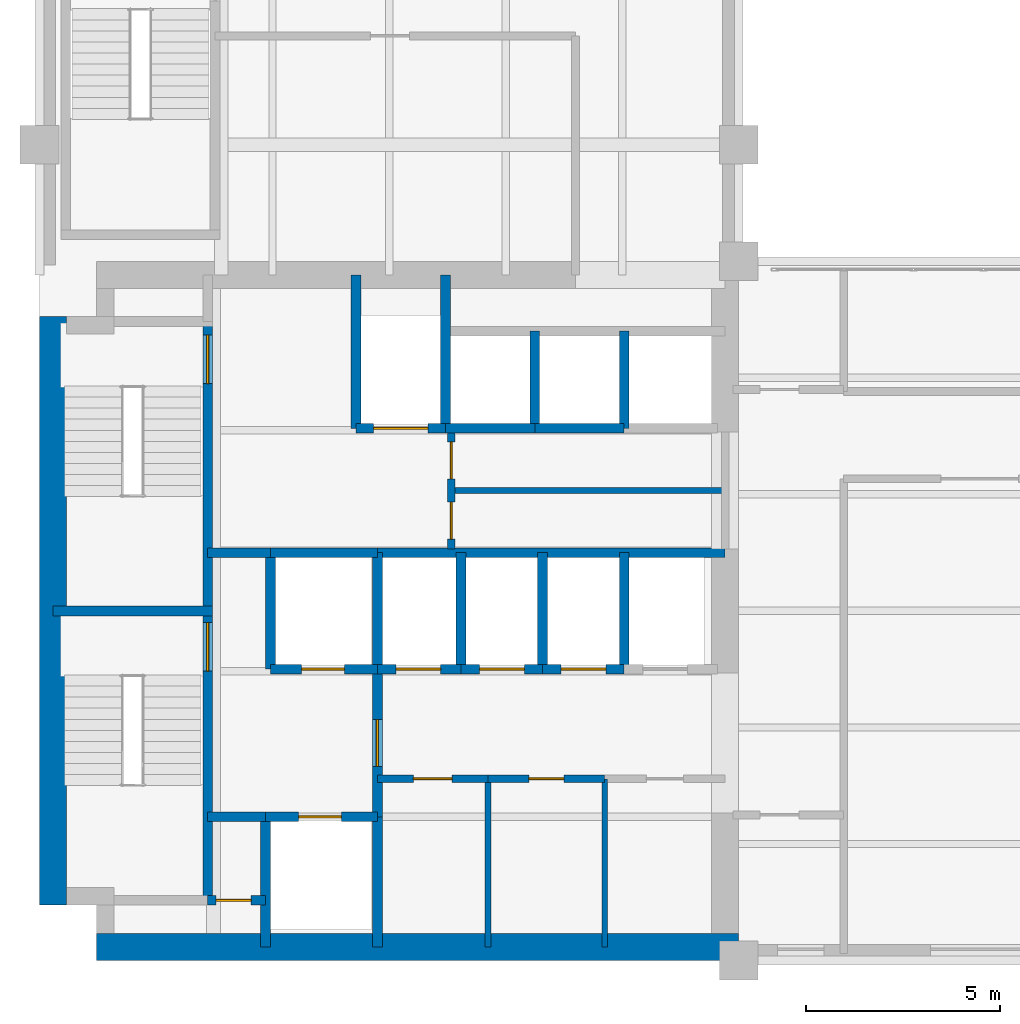
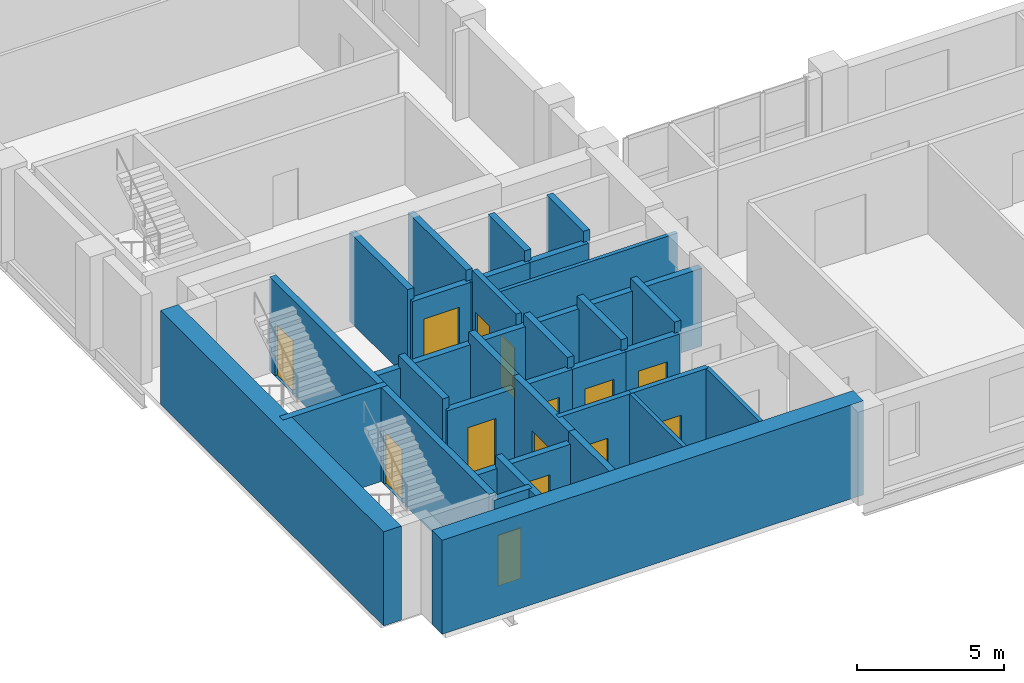
# One storey, part 4 of 8: 36 walls, 14 doors, 14 openings.
"""IFC4 building model written with IfcOpenShell, lengths in metres."""

from ifc_helpers import new_model, si_unit, direction, frame, frame_2d, origin, place, context, subcontext, project, spatial, rectangle, extrude, material, layer, layer_set, type_object, element, fill, save


model = new_model("IFC4")

# Units and contexts
model_context = context("Model", 3, precision=1e-05, world=origin(), true_north=direction((0.0, 1.0)))
body_context = subcontext(model_context, "Body", "Model", "MODEL_VIEW")
ifc_project = project(units=[si_unit("LENGTHUNIT", "METRE"), si_unit("AREAUNIT", "SQUARE_METRE"), si_unit("VOLUMEUNIT", "CUBIC_METRE"), si_unit("PLANEANGLEUNIT", "RADIAN"), si_unit("MASSUNIT", "GRAM", prefix="KILO")], contexts=[model_context])

# Site, building, storey
site_placement = place(None, origin())
site = spatial("IfcSite", under=ifc_project, at=site_placement, CompositionType="ELEMENT")
building_placement = place(site_placement, origin())
building = spatial("IfcBuilding", under=site, at=building_placement, Name="Mawjdan Bourse Tower", CompositionType="ELEMENT")
storey_placement = place(building_placement, frame((0.0, 0.0, 132.300048828125)))
storey = spatial("IfcBuildingStorey", under=building, at=storey_placement, Name="L31", CompositionType="ELEMENT", Elevation=132.300048828125)

# Wall, opening, door
ifc_material_1 = material(Name="Gypsum Fireboard Assembly")
ifc_layer_1 = layer(ifc_material_1, 0.199951171875)
ifc_layer_set_1 = layer_set([ifc_layer_1], Name="Gypsum Fireboard Assembly")
wall_type_1 = type_object("IfcWallType", Name="WL-CMP-200", PredefinedType="PARTITIONING", material=ifc_layer_set_1)
wall_1_placement = place(storey_placement, frame((14.699951171875, 7.679931640625, 0.0), z_axis=(0.0, 0.0, 1.0), x_axis=(1.0, 0.0, 0.0)))
wall_1 = element("IfcWall", 1, at=wall_1_placement, inside=storey, type_object=wall_type_1, Name="L31 Archive & Records Office North Wall", PredefinedType="PARTITIONING", context=body_context, shape_type="SweptSolid", body=[
    extrude(rectangle(XDim=2.85009765625, YDim=0.199951171875, at=frame_2d((1.425048828125, 0.0))), origin(), (0.0, 0.0, 1.0), 3.68994140625),
])
opening_1_placement = place(wall_1_placement, frame((0.925048828125, 0.0, 0.0)))
opening_1 = element("IfcOpeningElement", 2, at=opening_1_placement, cuts=wall_1, Name="Opening D-L31-10", PredefinedType="OPENING", context=body_context, shape_type="SweptSolid", body=[
    extrude(rectangle(XDim=1.0, YDim=2.14990234375, at=frame_2d((0.5, 1.074951171875))), frame((0.0, 0.10986328125, 0.0), z_axis=(0.0, -1.0, 0.0), x_axis=(1.0, 0.0, 0.0)), (0.0, 0.0, 1.0), 0.219970703125),
])
ifc_material_2 = material(Name="Hardwood Acoustic Leaf", Category="wood")
door_type_1 = type_object("IfcDoorType", Name="DR-OFC-1000", OperationType="NOTDEFINED", PredefinedType="DOOR", material=ifc_material_2)
door_1_placement = place(opening_1_placement, origin())
door_1 = element("IfcDoor", 3, at=door_1_placement, inside=storey, type_object=door_type_1, Name="L31 Archive & Records Office Door D-L31-10", OperationType="SINGLE_SWING_RIGHT", OverallHeight=2.14990234375, OverallWidth=1.0, PredefinedType="DOOR", context=body_context, shape_type="SweptSolid", body=[
    extrude(rectangle(XDim=1.0, YDim=2.14990234375, at=frame_2d((0.5, 1.074951171875))), frame((0.0, 0.02490234375, 0.0), z_axis=(0.0, -1.0, 0.0), x_axis=(1.0, 0.0, 0.0)), (0.0, 0.0, 1.0), 0.050048828125),
])
fill(opening_1, door_1)

wall_2_placement = place(storey_placement, frame((17.550048828125, 7.679931640625, 0.0), z_axis=(0.0, 0.0, 1.0), x_axis=(1.0, 0.0, 0.0)))
wall_2 = element("IfcWall", 4, at=wall_2_placement, inside=storey, type_object=wall_type_1, Name="L31 IT & Fiber Patch Room North Wall", PredefinedType="PARTITIONING", context=body_context, shape_type="SweptSolid", body=[
    extrude(rectangle(XDim=3.0, YDim=0.199951171875, at=frame_2d((1.5, 0.0))), origin(), (0.0, 0.0, 1.0), 3.68994140625),
])
opening_2_placement = place(wall_2_placement, frame((1.050048828125, 0.0, 0.0)))
opening_2 = element("IfcOpeningElement", 5, at=opening_2_placement, cuts=wall_2, Name="Opening D-L31-11", PredefinedType="OPENING", context=body_context, shape_type="SweptSolid", body=[
    extrude(rectangle(XDim=0.89990234375, YDim=2.10009765625, at=frame_2d((0.449951171875, 1.050048828125))), frame((0.0, 0.10986328125, 0.0), z_axis=(0.0, -1.0, 0.0), x_axis=(1.0, 0.0, 0.0)), (0.0, 0.0, 1.0), 0.219970703125),
])
ifc_material_3 = material(Name="Fire-Rated Steel Access Leaf", Category="steel")
door_type_2 = type_object("IfcDoorType", Name="FD-RSR-0900", OperationType="NOTDEFINED", PredefinedType="TRAPDOOR", material=ifc_material_3)
door_2_placement = place(opening_2_placement, origin())
door_2 = element("IfcDoor", 6, at=door_2_placement, inside=storey, type_object=door_type_2, Name="L31 IT & Fiber Patch Room Door D-L31-11", OperationType="SINGLE_SWING_LEFT", OverallHeight=2.10009765625, OverallWidth=0.89990234375, PredefinedType="TRAPDOOR", context=body_context, shape_type="SweptSolid", body=[
    extrude(rectangle(XDim=0.89990234375, YDim=2.10009765625, at=frame_2d((0.449951171875, 1.050048828125))), frame((0.0, 0.02490234375, 0.0), z_axis=(0.0, -1.0, 0.0), x_axis=(1.0, 0.0, 0.0)), (0.0, 0.0, 1.0), 0.050048828125),
])
fill(opening_2, door_2)

# Wall, openings, doors
wall_3_placement = place(storey_placement, frame((16.60009765625, 13.60009765625, 0.0), z_axis=(0.0, 0.0, 1.0), x_axis=(0.0, 1.0, 0.0)))
wall_3 = element("IfcWall", 7, at=wall_3_placement, inside=storey, type_object=wall_type_1, Name="L31 Core Restroom West Wall", PredefinedType="PARTITIONING", context=body_context, shape_type="SweptSolid", body=[
    extrude(rectangle(XDim=3.0, YDim=0.199951171875, at=frame_2d((1.5, 0.0))), origin(), (0.0, 0.0, 1.0), 3.68994140625),
])
opening_3_placement = place(wall_3_placement, frame((0.25, 0.0, 0.0)))
opening_3 = element("IfcOpeningElement", 8, at=opening_3_placement, cuts=wall_3, Name="Opening D-L31-17", PredefinedType="OPENING", context=body_context, shape_type="SweptSolid", body=[
    extrude(rectangle(XDim=0.949951171875, YDim=2.10009765625, at=frame_2d((0.47509765625, 1.050048828125))), frame((0.0, 0.10986328125, 0.0), z_axis=(0.0, -1.0, 0.0), x_axis=(1.0, 0.0, 0.0)), (0.0, 0.0, 1.0), 0.219970703125),
])
opening_4_placement = place(wall_3_placement, frame((1.800048828125, 0.0, 0.0)))
opening_4 = element("IfcOpeningElement", 9, at=opening_4_placement, cuts=wall_3, Name="Opening D-L31-18", PredefinedType="OPENING", context=body_context, shape_type="SweptSolid", body=[
    extrude(rectangle(XDim=0.949951171875, YDim=2.10009765625, at=frame_2d((0.47509765625, 1.050048828125))), frame((0.0, 0.10986328125, 0.0), z_axis=(0.0, -1.0, 0.0), x_axis=(1.0, 0.0, 0.0)), (0.0, 0.0, 1.0), 0.219970703125),
])
ifc_material_4 = material(Name="Moisture-Resistant Laminate Timber", Category="wood")
door_type_3 = type_object("IfcDoorType", Name="DR-WET-0950", OperationType="NOTDEFINED", PredefinedType="DOOR", material=ifc_material_4)
door_3_placement = place(opening_3_placement, origin())
door_3 = element("IfcDoor", 10, at=door_3_placement, inside=storey, type_object=door_type_3, Name="L31 Accessible WC Entry Door D-L31-17", OperationType="SINGLE_SWING_LEFT", OverallHeight=2.10009765625, OverallWidth=0.949951171875, PredefinedType="DOOR", context=body_context, shape_type="SweptSolid", body=[
    extrude(rectangle(XDim=0.949951171875, YDim=2.10009765625, at=frame_2d((0.47509765625, 1.050048828125))), frame((0.0, 0.02490234375, 0.0), z_axis=(0.0, -1.0, 0.0), x_axis=(1.0, 0.0, 0.0)), (0.0, 0.0, 1.0), 0.050048828125),
])
fill(opening_3, door_3)
door_4_placement = place(opening_4_placement, origin())
door_4 = element("IfcDoor", 11, at=door_4_placement, inside=storey, type_object=door_type_3, Name="L31 Male Restroom Entry Door D-L31-18", OperationType="SINGLE_SWING_RIGHT", OverallHeight=2.10009765625, OverallWidth=0.949951171875, PredefinedType="DOOR", context=body_context, shape_type="SweptSolid", body=[
    extrude(rectangle(XDim=0.949951171875, YDim=2.10009765625, at=frame_2d((0.47509765625, 1.050048828125))), frame((0.0, 0.02490234375, 0.0), z_axis=(0.0, -1.0, 0.0), x_axis=(1.0, 0.0, 0.0)), (0.0, 0.0, 1.0), 0.050048828125),
])
fill(opening_4, door_4)

# Walls
ifc_material_5 = material(Name="Concrete C70/85", Category="concrete")
ifc_layer_2 = layer(ifc_material_5, 0.699951171875)
ifc_layer_set_2 = layer_set([ifc_layer_2], Name="Concrete C70/85")
wall_type_2 = type_object("IfcWallType", Name="WL-CORE-700", PredefinedType="SHEAR", material=ifc_layer_set_2)
wall_4_placement = place(storey_placement, frame((7.47509765625, 3.35009765625, 0.0), z_axis=(0.0, 0.0, 1.0), x_axis=(1.0, 0.0, 0.0)))
element("IfcWall", 12, at=wall_4_placement, inside=storey, type_object=wall_type_2, Name="L31 Rear Core Shear Wall S", PredefinedType="SHEAR", context=body_context, shape_type="SweptSolid", body=[
    extrude(rectangle(XDim=16.52490234375, YDim=0.699951171875, at=frame_2d((8.262451171875, 0.0))), origin(), (0.0, 0.0, 1.0), 3.89990234375),
])
wall_5_placement = place(storey_placement, frame((6.35009765625, 4.425048828125, 0.0), z_axis=(0.0, 0.0, 1.0), x_axis=(0.0, 1.0, 0.0)))
element("IfcWall", 13, at=wall_5_placement, inside=storey, type_object=wall_type_2, Name="L31 Rear Core Shear Wall W", PredefinedType="SHEAR", context=body_context, shape_type="SweptSolid", body=[
    extrude(rectangle(XDim=15.14990234375, YDim=0.699951171875, at=frame_2d((7.574951171875, 0.0))), origin(), (0.0, 0.0, 1.0), 3.89990234375),
])
ifc_material_6 = material(Name="Gypsum Acoustic Partition")
ifc_layer_3 = layer(ifc_material_6, 0.14990234375)
ifc_layer_set_3 = layer_set([ifc_layer_3], Name="Gypsum Acoustic Partition")
wall_type_3 = type_object("IfcWallType", Name="WL-PRT-150", PredefinedType="PARTITIONING", material=ifc_layer_set_3)
for number, where, z_axis, x_axis, name in (
    (14, (17.550048828125, 3.35009765625, 0.0), (0.0, 0.0, 1.0), (0.0, 1.0, 0.0), "L31 IT & Fiber Patch Room Core Split Wall"),
    (15, (20.550048828125, 3.35009765625, 0.0), (0.0, 0.0, 1.0), (0.0, 1.0, 0.0), "L31 Staff Tea Pantry Core Split Wall"),
):
    element("IfcWall", number, at=place(storey_placement, frame(where, z_axis=z_axis, x_axis=x_axis)), inside=storey, type_object=wall_type_3, Name=name, PredefinedType="PARTITIONING", context=body_context, shape_type="SweptSolid", body=[
        extrude(rectangle(XDim=4.329833984375, YDim=0.14990234375, at=frame_2d((2.1650390625, 0.0))), origin(), (0.0, 0.0, 1.0), 3.68994140625),
    ])
wall_6_placement = place(storey_placement, frame((16.60009765625, 15.10009765625, 0.0), z_axis=(0.0, 0.0, 1.0), x_axis=(1.0, 0.0, 0.0)))
element("IfcWall", 16, at=wall_6_placement, inside=storey, type_object=wall_type_3, Name="L31 Core Restroom Horizontal Split", PredefinedType="PARTITIONING", context=body_context, shape_type="SweptSolid", body=[
    extrude(rectangle(XDim=7.0498046875, YDim=0.14990234375, at=frame_2d((3.52490234375, 0.0))), origin(), (0.0, 0.0, 1.0), 3.68994140625),
])

# Wall, opening, door
ifc_material_7 = material(Name="Concrete C50/60", Category="concrete")
ifc_layer_4 = layer(ifc_material_7, 0.25)
ifc_layer_set_4 = layer_set([ifc_layer_4], Name="Concrete C50/60")
wall_type_4 = type_object("IfcWallType", Name="WL-SHFT-250", PredefinedType="PARTITIONING", material=ifc_layer_set_4)
wall_7_placement = place(storey_placement, frame((10.330078125, 4.550048828125, 0.0), z_axis=(0.0, 0.0, 1.0), x_axis=(1.0, 0.0, 0.0)))
wall_7 = element("IfcWall", 17, at=wall_7_placement, inside=storey, type_object=wall_type_4, Name="L31 SW Riser North Wall", PredefinedType="PARTITIONING", context=body_context, shape_type="SweptSolid", body=[
    extrude(rectangle(XDim=1.489990234375, YDim=0.25, at=frame_2d((0.7451171875, 0.0))), origin(), (0.0, 0.0, 1.0), 3.68994140625),
])
opening_5_placement = place(wall_7_placement, frame((0.219970703125, 0.0, 0.0)))
opening_5 = element("IfcOpeningElement", 18, at=opening_5_placement, cuts=wall_7, Name="Opening RD-L31-03", PredefinedType="OPENING", context=body_context, shape_type="SweptSolid", body=[
    extrude(rectangle(XDim=0.89990234375, YDim=2.10009765625, at=frame_2d((0.449951171875, 1.050048828125))), frame((0.0, 0.135009765625, 0.0), z_axis=(0.0, -1.0, 0.0), x_axis=(1.0, 0.0, 0.0)), (0.0, 0.0, 1.0), 0.27001953125),
])
door_5_placement = place(opening_5_placement, origin())
door_5 = element("IfcDoor", 19, at=door_5_placement, inside=storey, type_object=door_type_2, Name="L31 Electrical Riser Access Door RD-L31-03", OperationType="SINGLE_SWING_RIGHT", OverallHeight=2.10009765625, OverallWidth=0.89990234375, PredefinedType="TRAPDOOR", context=body_context, shape_type="SweptSolid", body=[
    extrude(rectangle(XDim=0.89990234375, YDim=2.10009765625, at=frame_2d((0.449951171875, 1.050048828125))), frame((0.0, 0.02490234375, 0.0), z_axis=(0.0, -1.0, 0.0), x_axis=(1.0, 0.0, 0.0)), (0.0, 0.0, 1.0), 0.050048828125),
])
fill(opening_5, door_5)

# Wall
wall_8_placement = place(storey_placement, frame((11.820068359375, 3.35009765625, 0.0), z_axis=(0.0, 0.0, 1.0), x_axis=(0.0, 1.0, 0.0)))
element("IfcWall", 20, at=wall_8_placement, inside=storey, type_object=wall_type_4, Name="L31 SW Riser & FFL01 West Wall", PredefinedType="PARTITIONING", context=body_context, shape_type="SweptSolid", body=[
    extrude(rectangle(XDim=3.349853515625, YDim=0.25, at=frame_2d((1.6748046875, 0.0))), origin(), (0.0, 0.0, 1.0), 3.68994140625),
])

# Wall, opening, door
wall_9_placement = place(storey_placement, frame((11.820068359375, 6.699951171875, 0.0), z_axis=(0.0, 0.0, 1.0), x_axis=(1.0, 0.0, 0.0)))
wall_9 = element("IfcWall", 21, at=wall_9_placement, inside=storey, type_object=wall_type_4, Name="L31 FFL-01 Front Shaft Wall", PredefinedType="PARTITIONING", context=body_context, shape_type="SweptSolid", body=[
    extrude(rectangle(XDim=2.8798828125, YDim=0.25, at=frame_2d((1.43994140625, 0.0))), origin(), (0.0, 0.0, 1.0), 3.23291015625),
])
opening_6_placement = place(wall_9_placement, frame((0.85009765625, 0.0, 0.0)))
opening_6 = element("IfcOpeningElement", 22, at=opening_6_placement, cuts=wall_9, Name="Opening LD-L31-05", PredefinedType="OPENING", context=body_context, shape_type="SweptSolid", body=[
    extrude(rectangle(XDim=1.10009765625, YDim=2.25, at=frame_2d((0.550048828125, 1.125))), frame((0.0, 0.135009765625, 0.0), z_axis=(0.0, -1.0, 0.0), x_axis=(1.0, 0.0, 0.0)), (0.0, 0.0, 1.0), 0.27001953125),
])
ifc_material_8 = material(Name="Brushed Stainless Steel", Category="steel")
door_type_4 = type_object("IfcDoorType", Name="LD-FFL-1100", OperationType="DOUBLE_DOOR_SLIDING", PredefinedType="DOOR", material=ifc_material_8)
door_6_placement = place(opening_6_placement, origin())
door_6 = element("IfcDoor", 23, at=door_6_placement, inside=storey, type_object=door_type_4, Name="L31 Firefighting Lift FFL-01 Landing Door LD-L31-05", OperationType="DOUBLE_DOOR_SLIDING", OverallHeight=2.25, OverallWidth=1.10009765625, PredefinedType="DOOR", context=body_context, shape_type="SweptSolid", body=[
    extrude(rectangle(XDim=1.10009765625, YDim=2.25, at=frame_2d((0.550048828125, 1.125))), frame((0.0, 0.02490234375, 0.0), z_axis=(0.0, -1.0, 0.0), x_axis=(1.0, 0.0, 0.0)), (0.0, 0.0, 1.0), 0.050048828125),
])
fill(opening_6, door_6)

# Wall
wall_10_placement = place(storey_placement, frame((14.699951171875, 3.35009765625, 0.0), z_axis=(0.0, 0.0, 1.0), x_axis=(0.0, 1.0, 0.0)))
element("IfcWall", 24, at=wall_10_placement, inside=storey, type_object=wall_type_4, Name="L31 FFL-01 East Shaft Wall", PredefinedType="PARTITIONING", context=body_context, shape_type="SweptSolid", body=[
    extrude(rectangle(XDim=3.349853515625, YDim=0.25, at=frame_2d((1.6748046875, 0.0))), origin(), (0.0, 0.0, 1.0), 3.68994140625),
])

# Wall, opening, door
wall_11_placement = place(storey_placement, frame((11.949951171875, 10.5, 0.0), z_axis=(0.0, 0.0, 1.0), x_axis=(1.0, 0.0, 0.0)))
wall_11 = element("IfcWall", 25, at=wall_11_placement, inside=storey, type_object=wall_type_4, Name="L31 FFL-02 Front Shaft Wall", PredefinedType="PARTITIONING", context=body_context, shape_type="SweptSolid", body=[
    extrude(rectangle(XDim=2.75, YDim=0.25, at=frame_2d((1.375, 0.0))), origin(), (0.0, 0.0, 1.0), 3.23291015625),
])
opening_7_placement = place(wall_11_placement, frame((0.800048828125, 0.0, 0.0)))
opening_7 = element("IfcOpeningElement", 26, at=opening_7_placement, cuts=wall_11, Name="Opening LD-L31-06", PredefinedType="OPENING", context=body_context, shape_type="SweptSolid", body=[
    extrude(rectangle(XDim=1.10009765625, YDim=2.25, at=frame_2d((0.550048828125, 1.125))), frame((0.0, 0.135009765625, 0.0), z_axis=(0.0, -1.0, 0.0), x_axis=(1.0, 0.0, 0.0)), (0.0, 0.0, 1.0), 0.27001953125),
])
door_7_placement = place(opening_7_placement, origin())
door_7 = element("IfcDoor", 27, at=door_7_placement, inside=storey, type_object=door_type_4, Name="L31 Firefighting Lift FFL-02 Landing Door LD-L31-06", OperationType="DOUBLE_DOOR_SLIDING", OverallHeight=2.25, OverallWidth=1.10009765625, PredefinedType="DOOR", context=body_context, shape_type="SweptSolid", body=[
    extrude(rectangle(XDim=1.10009765625, YDim=2.25, at=frame_2d((0.550048828125, 1.125))), frame((0.0, 0.02490234375, 0.0), z_axis=(0.0, -1.0, 0.0), x_axis=(1.0, 0.0, 0.0)), (0.0, 0.0, 1.0), 0.050048828125),
])
fill(opening_7, door_7)

# Walls
wall_12_placement = place(storey_placement, frame((11.949951171875, 10.5, 0.0), z_axis=(0.0, 0.0, 1.0), x_axis=(0.0, 1.0, 0.0)))
element("IfcWall", 28, at=wall_12_placement, inside=storey, type_object=wall_type_4, Name="L31 FFL-02 West Shaft Wall", PredefinedType="PARTITIONING", context=body_context, shape_type="SweptSolid", body=[
    extrude(rectangle(XDim=3.0, YDim=0.25, at=frame_2d((1.5, 0.0))), origin(), (0.0, 0.0, 1.0), 3.68994140625),
])
wall_13_placement = place(storey_placement, frame((11.949951171875, 13.5, 0.0), z_axis=(0.0, 0.0, 1.0), x_axis=(1.0, 0.0, 0.0)))
element("IfcWall", 29, at=wall_13_placement, inside=storey, type_object=wall_type_4, Name="L31 FFL-02 North Shaft Wall", PredefinedType="PARTITIONING", context=body_context, shape_type="SweptSolid", body=[
    extrude(rectangle(XDim=2.75, YDim=0.25, at=frame_2d((1.375, 0.0))), origin(), (0.0, 0.0, 1.0), 3.23291015625),
])
wall_14_placement = place(storey_placement, frame((14.699951171875, 10.5, 0.0), z_axis=(0.0, 0.0, 1.0), x_axis=(0.0, 1.0, 0.0)))
element("IfcWall", 30, at=wall_14_placement, inside=storey, type_object=wall_type_4, Name="L31 FFL-02 East Shaft Wall", PredefinedType="PARTITIONING", context=body_context, shape_type="SweptSolid", body=[
    extrude(rectangle(XDim=3.0, YDim=0.25, at=frame_2d((1.5, 0.0))), origin(), (0.0, 0.0, 1.0), 3.68994140625),
])

# Wall, opening, door
wall_15_placement = place(storey_placement, frame((14.699951171875, 6.699951171875, 0.0), z_axis=(0.0, 0.0, 1.0), x_axis=(0.0, 1.0, 0.0)))
wall_15 = element("IfcWall", 31, at=wall_15_placement, inside=storey, type_object=wall_type_4, Name="L31 Firefighting Lobby East Compartment Wall", PredefinedType="PARTITIONING", context=body_context, shape_type="SweptSolid", body=[
    extrude(rectangle(XDim=3.800048828125, YDim=0.25, at=frame_2d((1.89990234375, 0.0))), origin(), (0.0, 0.0, 1.0), 3.68994140625),
])
opening_8_placement = place(wall_15_placement, frame((1.300048828125, 0.0, 0.0)))
opening_8 = element("IfcOpeningElement", 32, at=opening_8_placement, cuts=wall_15, Name="Opening FD-L31-07", PredefinedType="OPENING", context=body_context, shape_type="SweptSolid", body=[
    extrude(rectangle(XDim=1.199951171875, YDim=2.199951171875, at=frame_2d((0.60009765625, 1.10009765625))), frame((0.0, 0.135009765625, 0.0), z_axis=(0.0, -1.0, 0.0), x_axis=(1.0, 0.0, 0.0)), (0.0, 0.0, 1.0), 0.27001953125),
])
ifc_material_9 = material(Name="Fire-Rated Steel Leaf", Category="steel")
door_type_5 = type_object("IfcDoorType", Name="FD-FFL-1200", OperationType="NOTDEFINED", PredefinedType="DOOR", material=ifc_material_9)
door_8_placement = place(opening_8_placement, origin())
door_8 = element("IfcDoor", 33, at=door_8_placement, inside=storey, type_object=door_type_5, Name="L31 Firefighting Lobby East Smoke Door FD-L31-07", OperationType="SINGLE_SWING_RIGHT", OverallHeight=2.199951171875, OverallWidth=1.199951171875, PredefinedType="DOOR", context=body_context, shape_type="SweptSolid", body=[
    extrude(rectangle(XDim=1.199951171875, YDim=2.199951171875, at=frame_2d((0.60009765625, 1.10009765625))), frame((0.0, 0.02490234375, 0.0), z_axis=(0.0, -1.0, 0.0), x_axis=(1.0, 0.0, 0.0)), (0.0, 0.0, 1.0), 0.050048828125),
])
fill(opening_8, door_8)

# Walls
wall_16_placement = place(storey_placement, frame((10.330078125, 13.5, 0.0), z_axis=(0.0, 0.0, 1.0), x_axis=(1.0, 0.0, 0.0)))
element("IfcWall", 34, at=wall_16_placement, inside=storey, type_object=wall_type_4, Name="L31 Firefighting Lobby North Compartment Wall", PredefinedType="PARTITIONING", context=body_context, shape_type="SweptSolid", body=[
    extrude(rectangle(XDim=1.619873046875, YDim=0.25, at=frame_2d((0.81005859375, 0.0))), origin(), (0.0, 0.0, 1.0), 3.23291015625),
])
wall_17_placement = place(storey_placement, frame((10.330078125, 6.699951171875, 0.0), z_axis=(0.0, 0.0, 1.0), x_axis=(1.0, 0.0, 0.0)))
element("IfcWall", 35, at=wall_17_placement, inside=storey, type_object=wall_type_4, Name="L31 Firefighting Lobby South Closure Wall", PredefinedType="PARTITIONING", context=body_context, shape_type="SweptSolid", body=[
    extrude(rectangle(XDim=1.489990234375, YDim=0.25, at=frame_2d((0.7451171875, 0.0))), origin(), (0.0, 0.0, 1.0), 3.23291015625),
])

# Wall, opening, door
wall_18_placement = place(storey_placement, frame((14.14990234375, 16.699951171875, 0.0), z_axis=(0.0, 0.0, 1.0), x_axis=(1.0, 0.0, 0.0)))
wall_18 = element("IfcWall", 36, at=wall_18_placement, inside=storey, type_object=wall_type_4, Name="L31 SVL-01 Front Shaft Wall", PredefinedType="PARTITIONING", context=body_context, shape_type="SweptSolid", body=[
    extrude(rectangle(XDim=2.300048828125, YDim=0.25, at=frame_2d((1.14990234375, 0.0))), origin(), (0.0, 0.0, 1.0), 3.23291015625),
])
opening_9_placement = place(wall_18_placement, frame((0.449951171875, 0.0, 0.0)))
opening_9 = element("IfcOpeningElement", 37, at=opening_9_placement, cuts=wall_18, Name="Opening LD-L31-09", PredefinedType="OPENING", context=body_context, shape_type="SweptSolid", body=[
    extrude(rectangle(XDim=1.39990234375, YDim=2.35009765625, at=frame_2d((0.699951171875, 1.175048828125))), frame((0.0, 0.135009765625, 0.0), z_axis=(0.0, -1.0, 0.0), x_axis=(1.0, 0.0, 0.0)), (0.0, 0.0, 1.0), 0.27001953125),
])
ifc_material_10 = material(Name="Heavy-Duty Stainless Steel", Category="steel")
door_type_6 = type_object("IfcDoorType", Name="LD-SRV-1400", OperationType="DOUBLE_DOOR_SLIDING", PredefinedType="DOOR", material=ifc_material_10)
door_9_placement = place(opening_9_placement, origin())
door_9 = element("IfcDoor", 38, at=door_9_placement, inside=storey, type_object=door_type_6, Name="L31 Service Lift SVL-01 Landing Door LD-L31-09", OperationType="DOUBLE_DOOR_SLIDING", OverallHeight=2.35009765625, OverallWidth=1.39990234375, PredefinedType="DOOR", context=body_context, shape_type="SweptSolid", body=[
    extrude(rectangle(XDim=1.39990234375, YDim=2.35009765625, at=frame_2d((0.699951171875, 1.175048828125))), frame((0.0, 0.02490234375, 0.0), z_axis=(0.0, -1.0, 0.0), x_axis=(1.0, 0.0, 0.0)), (0.0, 0.0, 1.0), 0.050048828125),
])
fill(opening_9, door_9)

# Walls
for number, where, z_axis, x_axis, name in (
    (39, (14.14990234375, 16.699951171875, 0.0), (0.0, 0.0, 1.0), (0.0, 1.0, 0.0), "L31 SVL-01 West Shaft Wall"),
    (40, (16.449951171875, 16.699951171875, 0.0), (0.0, 0.0, 1.0), (0.0, 1.0, 0.0), "L31 SVL-01 East Shaft Wall"),
):
    element("IfcWall", number, at=place(storey_placement, frame(where, z_axis=z_axis, x_axis=x_axis)), inside=storey, type_object=wall_type_4, Name=name, PredefinedType="PARTITIONING", context=body_context, shape_type="SweptSolid", body=[
        extrude(rectangle(XDim=3.949951171875, YDim=0.25, at=frame_2d((1.97509765625, 0.0))), origin(), (0.0, 0.0, 1.0), 3.68994140625),
    ])
wall_19_placement = place(storey_placement, frame((16.449951171875, 16.699951171875, 0.0), z_axis=(0.0, 0.0, 1.0), x_axis=(1.0, 0.0, 0.0)))
element("IfcWall", 41, at=wall_19_placement, inside=storey, type_object=wall_type_4, Name="L31 PH-01 Front Wall", PredefinedType="PARTITIONING", context=body_context, shape_type="SweptSolid", body=[
    extrude(rectangle(XDim=2.300048828125, YDim=0.25, at=frame_2d((1.14990234375, 0.0))), origin(), (0.0, 0.0, 1.0), 3.23291015625),
])
wall_20_placement = place(storey_placement, frame((18.75, 16.699951171875, 0.0), z_axis=(0.0, 0.0, 1.0), x_axis=(0.0, 1.0, 0.0)))
element("IfcWall", 42, at=wall_20_placement, inside=storey, type_object=wall_type_4, Name="L31 PH-01 Divider Wall", PredefinedType="PARTITIONING", context=body_context, shape_type="SweptSolid", body=[
    extrude(rectangle(XDim=2.5, YDim=0.25, at=frame_2d((1.25, 0.0))), origin(), (0.0, 0.0, 1.0), 3.68994140625),
])
wall_21_placement = place(storey_placement, frame((18.75, 16.699951171875, 0.0), z_axis=(0.0, 0.0, 1.0), x_axis=(1.0, 0.0, 0.0)))
element("IfcWall", 43, at=wall_21_placement, inside=storey, type_object=wall_type_4, Name="L31 PH-02 Front Wall", PredefinedType="PARTITIONING", context=body_context, shape_type="SweptSolid", body=[
    extrude(rectangle(XDim=2.300048828125, YDim=0.25, at=frame_2d((1.14990234375, 0.0))), origin(), (0.0, 0.0, 1.0), 3.23291015625),
])
wall_22_placement = place(storey_placement, frame((21.050048828125, 16.699951171875, 0.0), z_axis=(0.0, 0.0, 1.0), x_axis=(0.0, 1.0, 0.0)))
element("IfcWall", 44, at=wall_22_placement, inside=storey, type_object=wall_type_4, Name="L31 PH-02 Divider Wall", PredefinedType="PARTITIONING", context=body_context, shape_type="SweptSolid", body=[
    extrude(rectangle(XDim=2.5, YDim=0.25, at=frame_2d((1.25, 0.0))), origin(), (0.0, 0.0, 1.0), 3.68994140625),
])

# Wall, opening, door
wall_23_placement = place(storey_placement, frame((14.699951171875, 10.5, 0.0), z_axis=(0.0, 0.0, 1.0), x_axis=(1.0, 0.0, 0.0)))
wall_23 = element("IfcWall", 45, at=wall_23_placement, inside=storey, type_object=wall_type_4, Name="L31 PM-01 Front Wall", PredefinedType="PARTITIONING", context=body_context, shape_type="SweptSolid", body=[
    extrude(rectangle(XDim=2.150146484375, YDim=0.25, at=frame_2d((1.0751953125, 0.0))), origin(), (0.0, 0.0, 1.0), 3.23291015625),
])
opening_10_placement = place(wall_23_placement, frame((0.47998046875, 0.0, 0.0)))
opening_10 = element("IfcOpeningElement", 46, at=opening_10_placement, cuts=wall_23, Name="Opening LD-L31-13", PredefinedType="OPENING", context=body_context, shape_type="SweptSolid", body=[
    extrude(rectangle(XDim=1.14990234375, YDim=2.25, at=frame_2d((0.574951171875, 1.125))), frame((0.0, 0.135009765625, 0.0), z_axis=(0.0, -1.0, 0.0), x_axis=(1.0, 0.0, 0.0)), (0.0, 0.0, 1.0), 0.27001953125),
])
door_type_7 = type_object("IfcDoorType", Name="LD-PAS-1150", OperationType="DOUBLE_DOOR_SLIDING", PredefinedType="DOOR", material=ifc_material_8)
door_10_placement = place(opening_10_placement, origin())
door_10 = element("IfcDoor", 47, at=door_10_placement, inside=storey, type_object=door_type_7, Name="L31 Lift PM-01 Landing Door LD-L31-13", OperationType="DOUBLE_DOOR_SLIDING", OverallHeight=2.25, OverallWidth=1.14990234375, PredefinedType="DOOR", context=body_context, shape_type="SweptSolid", body=[
    extrude(rectangle(XDim=1.14990234375, YDim=2.25, at=frame_2d((0.574951171875, 1.125))), frame((0.0, 0.02490234375, 0.0), z_axis=(0.0, -1.0, 0.0), x_axis=(1.0, 0.0, 0.0)), (0.0, 0.0, 1.0), 0.050048828125),
])
fill(opening_10, door_10)

# Wall
wall_24_placement = place(storey_placement, frame((16.85009765625, 10.5, 0.0), z_axis=(0.0, 0.0, 1.0), x_axis=(0.0, 1.0, 0.0)))
element("IfcWall", 48, at=wall_24_placement, inside=storey, type_object=wall_type_4, Name="L31 PM-01 Divider Wall", PredefinedType="PARTITIONING", context=body_context, shape_type="SweptSolid", body=[
    extrude(rectangle(XDim=3.0, YDim=0.25, at=frame_2d((1.5, 0.0))), origin(), (0.0, 0.0, 1.0), 3.68994140625),
])

# Wall, opening, door
wall_25_placement = place(storey_placement, frame((16.85009765625, 10.5, 0.0), z_axis=(0.0, 0.0, 1.0), x_axis=(1.0, 0.0, 0.0)))
wall_25 = element("IfcWall", 49, at=wall_25_placement, inside=storey, type_object=wall_type_4, Name="L31 PM-02 Front Wall", PredefinedType="PARTITIONING", context=body_context, shape_type="SweptSolid", body=[
    extrude(rectangle(XDim=2.099853515625, YDim=0.25, at=frame_2d((1.0498046875, 0.0))), origin(), (0.0, 0.0, 1.0), 3.23291015625),
])
opening_11_placement = place(wall_25_placement, frame((0.47998046875, 0.0, 0.0)))
opening_11 = element("IfcOpeningElement", 50, at=opening_11_placement, cuts=wall_25, Name="Opening LD-L31-14", PredefinedType="OPENING", context=body_context, shape_type="SweptSolid", body=[
    extrude(rectangle(XDim=1.14990234375, YDim=2.25, at=frame_2d((0.574951171875, 1.125))), frame((0.0, 0.135009765625, 0.0), z_axis=(0.0, -1.0, 0.0), x_axis=(1.0, 0.0, 0.0)), (0.0, 0.0, 1.0), 0.27001953125),
])
door_11_placement = place(opening_11_placement, origin())
door_11 = element("IfcDoor", 51, at=door_11_placement, inside=storey, type_object=door_type_7, Name="L31 Lift PM-02 Landing Door LD-L31-14", OperationType="DOUBLE_DOOR_SLIDING", OverallHeight=2.25, OverallWidth=1.14990234375, PredefinedType="DOOR", context=body_context, shape_type="SweptSolid", body=[
    extrude(rectangle(XDim=1.14990234375, YDim=2.25, at=frame_2d((0.574951171875, 1.125))), frame((0.0, 0.02490234375, 0.0), z_axis=(0.0, -1.0, 0.0), x_axis=(1.0, 0.0, 0.0)), (0.0, 0.0, 1.0), 0.050048828125),
])
fill(opening_11, door_11)

# Wall
wall_26_placement = place(storey_placement, frame((18.949951171875, 10.5, 0.0), z_axis=(0.0, 0.0, 1.0), x_axis=(0.0, 1.0, 0.0)))
element("IfcWall", 52, at=wall_26_placement, inside=storey, type_object=wall_type_4, Name="L31 PM-02 Divider Wall", PredefinedType="PARTITIONING", context=body_context, shape_type="SweptSolid", body=[
    extrude(rectangle(XDim=3.0, YDim=0.25, at=frame_2d((1.5, 0.0))), origin(), (0.0, 0.0, 1.0), 3.68994140625),
])

# Wall, opening, door
wall_27_placement = place(storey_placement, frame((18.949951171875, 10.5, 0.0), z_axis=(0.0, 0.0, 1.0), x_axis=(1.0, 0.0, 0.0)))
wall_27 = element("IfcWall", 53, at=wall_27_placement, inside=storey, type_object=wall_type_4, Name="L31 PM-03 Front Wall", PredefinedType="PARTITIONING", context=body_context, shape_type="SweptSolid", body=[
    extrude(rectangle(XDim=2.10009765625, YDim=0.25, at=frame_2d((1.050048828125, 0.0))), origin(), (0.0, 0.0, 1.0), 3.23291015625),
])
opening_12_placement = place(wall_27_placement, frame((0.47998046875, 0.0, 0.0)))
opening_12 = element("IfcOpeningElement", 54, at=opening_12_placement, cuts=wall_27, Name="Opening LD-L31-15", PredefinedType="OPENING", context=body_context, shape_type="SweptSolid", body=[
    extrude(rectangle(XDim=1.14990234375, YDim=2.25, at=frame_2d((0.574951171875, 1.125))), frame((0.0, 0.135009765625, 0.0), z_axis=(0.0, -1.0, 0.0), x_axis=(1.0, 0.0, 0.0)), (0.0, 0.0, 1.0), 0.27001953125),
])
door_12_placement = place(opening_12_placement, origin())
door_12 = element("IfcDoor", 55, at=door_12_placement, inside=storey, type_object=door_type_7, Name="L31 Lift PM-03 Landing Door LD-L31-15", OperationType="DOUBLE_DOOR_SLIDING", OverallHeight=2.25, OverallWidth=1.14990234375, PredefinedType="DOOR", context=body_context, shape_type="SweptSolid", body=[
    extrude(rectangle(XDim=1.14990234375, YDim=2.25, at=frame_2d((0.574951171875, 1.125))), frame((0.0, 0.02490234375, 0.0), z_axis=(0.0, -1.0, 0.0), x_axis=(1.0, 0.0, 0.0)), (0.0, 0.0, 1.0), 0.050048828125),
])
fill(opening_12, door_12)

# Walls
wall_28_placement = place(storey_placement, frame((21.050048828125, 10.5, 0.0), z_axis=(0.0, 0.0, 1.0), x_axis=(0.0, 1.0, 0.0)))
element("IfcWall", 56, at=wall_28_placement, inside=storey, type_object=wall_type_4, Name="L31 PM-03 Divider Wall", PredefinedType="PARTITIONING", context=body_context, shape_type="SweptSolid", body=[
    extrude(rectangle(XDim=3.0, YDim=0.25, at=frame_2d((1.5, 0.0))), origin(), (0.0, 0.0, 1.0), 3.68994140625),
])
wall_29_placement = place(storey_placement, frame((14.699951171875, 13.5, 0.0), z_axis=(0.0, 0.0, 1.0), x_axis=(1.0, 0.0, 0.0)))
element("IfcWall", 57, at=wall_29_placement, inside=storey, type_object=wall_type_4, Name="L31 PM Bank North Shaft Back Wall", PredefinedType="PARTITIONING", context=body_context, shape_type="SweptSolid", body=[
    extrude(rectangle(XDim=8.949951171875, YDim=0.25, at=frame_2d((4.47509765625, 0.0))), origin(), (0.0, 0.0, 1.0), 3.23291015625),
])
ifc_layer_5 = layer(ifc_material_7, 0.25)
ifc_layer_set_5 = layer_set([ifc_layer_5], Name="Concrete C50/60")
wall_type_5 = type_object("IfcWallType", Name="WL-STRW-250", PredefinedType="SHEAR", material=ifc_layer_set_5)
wall_30_placement = place(storey_placement, frame((6.35009765625, 12.0, 0.0), z_axis=(0.0, 0.0, 1.0), x_axis=(1.0, 0.0, 0.0)))
element("IfcWall", 58, at=wall_30_placement, inside=storey, type_object=wall_type_5, Name="L31 Stairwell Dividing Shaft Wall", PredefinedType="SHEAR", context=body_context, shape_type="SweptSolid", body=[
    extrude(rectangle(XDim=4.10498046875, YDim=0.25, at=frame_2d((2.052490234375, 0.0))), origin(), (0.0, 0.0, 1.0), 3.89990234375),
])

# Wall, opening, door
wall_31_placement = place(storey_placement, frame((10.330078125, 4.550048828125, 0.0), z_axis=(0.0, 0.0, 1.0), x_axis=(0.0, 1.0, 0.0)))
wall_31 = element("IfcWall", 59, at=wall_31_placement, inside=storey, type_object=wall_type_5, Name="L31 Stairwell ST1 East Enclosure Wall", PredefinedType="SHEAR", context=body_context, shape_type="SweptSolid", body=[
    extrude(rectangle(XDim=7.449951171875, YDim=0.25, at=frame_2d((3.72509765625, 0.0))), origin(), (0.0, 0.0, 1.0), 3.89990234375),
])
opening_13_placement = place(wall_31_placement, frame((5.89990234375, 0.0, 0.0)))
opening_13 = element("IfcOpeningElement", 60, at=opening_13_placement, cuts=wall_31, Name="Opening SD-L31-01", PredefinedType="OPENING", context=body_context, shape_type="SweptSolid", body=[
    extrude(rectangle(XDim=1.25, YDim=2.199951171875, at=frame_2d((0.625, 1.10009765625))), frame((0.0, 0.135009765625, 0.0), z_axis=(0.0, -1.0, 0.0), x_axis=(1.0, 0.0, 0.0)), (0.0, 0.0, 1.0), 0.27001953125),
])
door_type_8 = type_object("IfcDoorType", Name="FD-ST-1250", OperationType="NOTDEFINED", PredefinedType="DOOR", material=ifc_material_9)
door_13_placement = place(opening_13_placement, origin())
door_13 = element("IfcDoor", 61, at=door_13_placement, inside=storey, type_object=door_type_8, Name="L31 Exit Stair ST1 Fire Door SD-L31-01", OperationType="SINGLE_SWING_RIGHT", OverallHeight=2.199951171875, OverallWidth=1.25, PredefinedType="DOOR", context=body_context, shape_type="SweptSolid", body=[
    extrude(rectangle(XDim=1.25, YDim=2.199951171875, at=frame_2d((0.625, 1.10009765625))), frame((0.0, 0.02490234375, 0.0), z_axis=(0.0, -1.0, 0.0), x_axis=(1.0, 0.0, 0.0)), (0.0, 0.0, 1.0), 0.050048828125),
])
fill(opening_13, door_13)

wall_32_placement = place(storey_placement, frame((10.330078125, 12.0, 0.0), z_axis=(0.0, 0.0, 1.0), x_axis=(0.0, 1.0, 0.0)))
wall_32 = element("IfcWall", 62, at=wall_32_placement, inside=storey, type_object=wall_type_5, Name="L31 Stairwell ST2 East Enclosure Wall", PredefinedType="SHEAR", context=body_context, shape_type="SweptSolid", body=[
    extrude(rectangle(XDim=7.449951171875, YDim=0.25, at=frame_2d((3.72509765625, 0.0))), origin(), (0.0, 0.0, 1.0), 3.89990234375),
])
opening_14_placement = place(wall_32_placement, frame((5.85009765625, 0.0, 0.0)))
opening_14 = element("IfcOpeningElement", 63, at=opening_14_placement, cuts=wall_32, Name="Opening SD-L31-02", PredefinedType="OPENING", context=body_context, shape_type="SweptSolid", body=[
    extrude(rectangle(XDim=1.25, YDim=2.199951171875, at=frame_2d((0.625, 1.10009765625))), frame((0.0, 0.135009765625, 0.0), z_axis=(0.0, -1.0, 0.0), x_axis=(1.0, 0.0, 0.0)), (0.0, 0.0, 1.0), 0.27001953125),
])
door_14_placement = place(opening_14_placement, origin())
door_14 = element("IfcDoor", 64, at=door_14_placement, inside=storey, type_object=door_type_8, Name="L31 Exit Stair ST2 Fire Door SD-L31-02", OperationType="SINGLE_SWING_LEFT", OverallHeight=2.199951171875, OverallWidth=1.25, PredefinedType="DOOR", context=body_context, shape_type="SweptSolid", body=[
    extrude(rectangle(XDim=1.25, YDim=2.199951171875, at=frame_2d((0.625, 1.10009765625))), frame((0.0, 0.02490234375, 0.0), z_axis=(0.0, -1.0, 0.0), x_axis=(1.0, 0.0, 0.0)), (0.0, 0.0, 1.0), 0.050048828125),
])
fill(opening_14, door_14)

save(model, "model.ifc")
